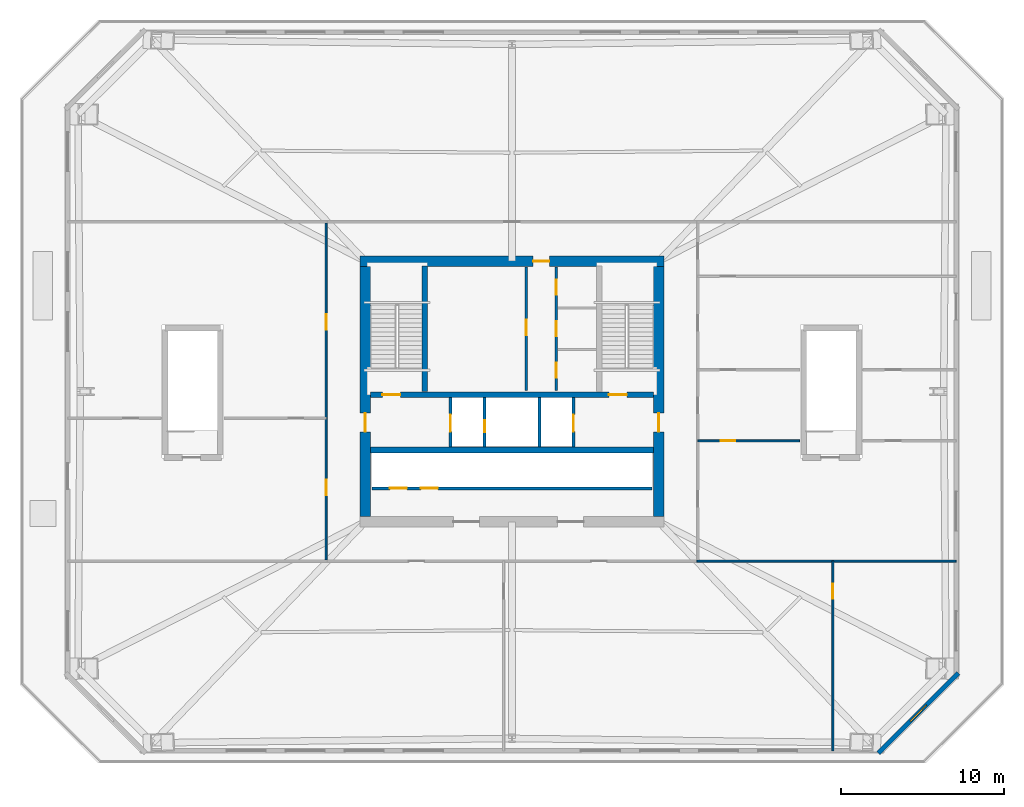
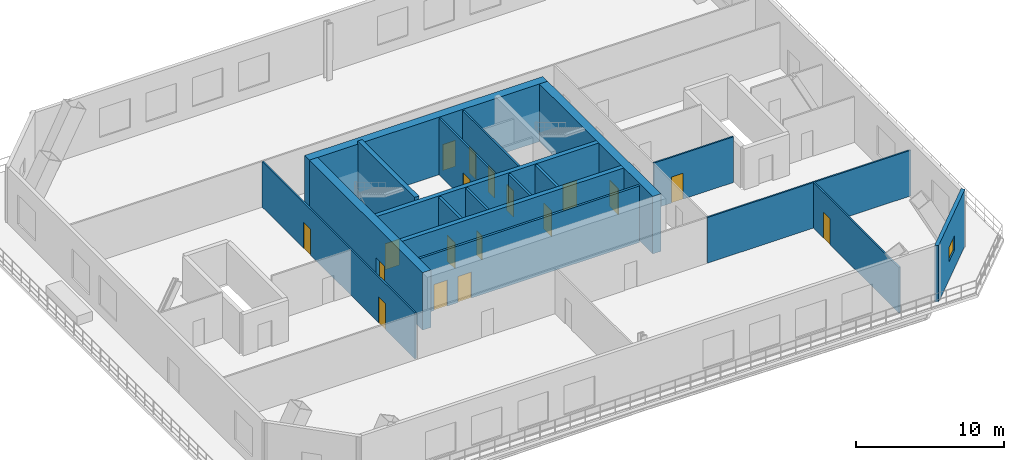
# One storey, part 3 of 7: 18 doors, 18 walls, 1 window, 19 openings.
"""IFC4 building model written with IfcOpenShell, lengths in metres."""

from ifc_helpers import new_model, si_unit, direction, frame, frame_2d, origin, place, context, subcontext, project, spatial, rectangle, extrude, material, layer, layer_set, type_object, element, fill, save


model = new_model("IFC4")

# Units and contexts
model_context = context("Model", 3, precision=1e-05, world=origin(), true_north=direction((0.0, 1.0)))
body_context = subcontext(model_context, "Body", "Model", "MODEL_VIEW")
ifc_project = project(units=[si_unit("LENGTHUNIT", "METRE"), si_unit("AREAUNIT", "SQUARE_METRE"), si_unit("VOLUMEUNIT", "CUBIC_METRE"), si_unit("PLANEANGLEUNIT", "RADIAN"), si_unit("MASSUNIT", "GRAM", prefix="KILO")], contexts=[model_context])

# Site, building, storey
site_placement = place(None, origin())
site = spatial("IfcSite", under=ifc_project, at=site_placement, CompositionType="ELEMENT")
building_placement = place(site_placement, origin())
building = spatial("IfcBuilding", under=site, at=building_placement, Name="Caelvoria Tower", CompositionType="ELEMENT")
storey_placement = place(building_placement, frame((0.0, 0.0, 23.0)))
storey = spatial("IfcBuildingStorey", under=building, at=storey_placement, Name="L05", CompositionType="ELEMENT", Elevation=23.0)

# Wall, openings, doors
ifc_material_1 = material(Name="Concrete C50/60", Category="concrete")
ifc_layer_1 = layer(ifc_material_1, 0.35009765625, Name="Concrete C50/60")
ifc_layer_set_1 = layer_set([ifc_layer_1], Name="Core Internal Shear Wall 350 - Concrete C50/60")
wall_type_1 = type_object("IfcWallType", Name="Core Internal Shear Wall 350", PredefinedType="SHEAR", material=ifc_layer_set_1)
wall_1_placement = place(storey_placement, frame((37.324951171875, 31.800048828125, 0.0), z_axis=(0.0, 0.0, 1.0), x_axis=(1.0, 0.0, 0.0)))
wall_1 = element("IfcWall", 1, at=wall_1_placement, inside=storey, type_object=wall_type_1, Name="Core Shear Wall L05 M1", PredefinedType="SHEAR", context=body_context, shape_type="SweptSolid", body=[
    extrude(rectangle(XDim=17.35009765625, YDim=0.35009765625, at=frame_2d((8.675048828125, 0.0))), origin(), (0.0, 0.0, 1.0), 4.760009765625),
])
opening_1_placement = place(wall_1_placement, frame((0.72509765625, 0.0, 0.0)))
opening_1 = element("IfcOpeningElement", 2, at=opening_1_placement, cuts=wall_1, Name="Opening ID-01", PredefinedType="OPENING", context=body_context, shape_type="SweptSolid", body=[
    extrude(rectangle(XDim=1.10009765625, YDim=2.14990234375, at=frame_2d((0.550048828125, 1.074951171875))), frame((0.0, 0.18505859375, 0.0), z_axis=(0.0, -1.0, 0.0), x_axis=(1.0, 0.0, 0.0)), (0.0, 0.0, 1.0), 0.3701171875),
])
opening_2_placement = place(wall_1_placement, frame((14.625, 0.0, 0.0)))
opening_2 = element("IfcOpeningElement", 3, at=opening_2_placement, cuts=wall_1, Name="Opening ID-01", PredefinedType="OPENING", context=body_context, shape_type="SweptSolid", body=[
    extrude(rectangle(XDim=1.10009765625, YDim=2.14990234375, at=frame_2d((0.550048828125, 1.074951171875))), frame((0.0, 0.18505859375, 0.0), z_axis=(0.0, -1.0, 0.0), x_axis=(1.0, 0.0, 0.0)), (0.0, 0.0, 1.0), 0.3701171875),
])
ifc_material_2 = material(Name="Painted Hollow Steel Fire Door", Category="steel")
door_type_1 = type_object("IfcDoorType", Name="Fire Door FD90S 1100x2150", OperationType="NOTDEFINED", PredefinedType="DOOR", material=ifc_material_2)
door_1_placement = place(opening_1_placement, origin())
door_1 = element("IfcDoor", 4, at=door_1_placement, inside=storey, type_object=door_type_1, Name="Core Door DR-L05-ST1", OperationType="SINGLE_SWING_LEFT", OverallHeight=2.14990234375, OverallWidth=1.10009765625, PredefinedType="DOOR", context=body_context, shape_type="SweptSolid", body=[
    extrude(rectangle(XDim=1.10009765625, YDim=2.14990234375, at=frame_2d((0.550048828125, 1.074951171875))), frame((0.0, 0.02490234375, 0.0), z_axis=(0.0, -1.0, 0.0), x_axis=(1.0, 0.0, 0.0)), (0.0, 0.0, 1.0), 0.050048828125),
])
fill(opening_1, door_1)
door_2_placement = place(opening_2_placement, origin())
door_2 = element("IfcDoor", 5, at=door_2_placement, inside=storey, type_object=door_type_1, Name="Core Door DR-L05-ST2", OperationType="SINGLE_SWING_RIGHT", OverallHeight=2.14990234375, OverallWidth=1.10009765625, PredefinedType="DOOR", context=body_context, shape_type="SweptSolid", body=[
    extrude(rectangle(XDim=1.10009765625, YDim=2.14990234375, at=frame_2d((0.550048828125, 1.074951171875))), frame((0.0, 0.02490234375, 0.0), z_axis=(0.0, -1.0, 0.0), x_axis=(1.0, 0.0, 0.0)), (0.0, 0.0, 1.0), 0.050048828125),
])
fill(opening_2, door_2)

# Walls
wall_2_placement = place(storey_placement, frame((37.324951171875, 28.39990234375, 0.0), z_axis=(0.0, 0.0, 1.0), x_axis=(1.0, 0.0, 0.0)))
element("IfcWall", 6, at=wall_2_placement, inside=storey, type_object=wall_type_1, Name="Core Shear Wall L05 M2", PredefinedType="SHEAR", context=body_context, shape_type="SweptSolid", body=[
    extrude(rectangle(XDim=17.35009765625, YDim=0.35009765625, at=frame_2d((8.675048828125, 0.0))), origin(), (0.0, 0.0, 1.0), 4.760009765625),
])
wall_3_placement = place(storey_placement, frame((40.64990234375, 32.0, 0.0), z_axis=(0.0, 0.0, 1.0), x_axis=(0.0, 1.0, 0.0)))
element("IfcWall", 7, at=wall_3_placement, inside=storey, type_object=wall_type_1, Name="Interior Partition IW-L05-ST1E", PredefinedType="SHEAR", context=body_context, shape_type="SweptSolid", body=[
    extrude(rectangle(XDim=7.699951171875, YDim=0.35009765625, at=frame_2d((3.85009765625, 0.0))), origin(), (0.0, 0.0, 1.0), 5.0),
])

# Wall, opening, door
ifc_material_3 = material(Name="Moisture-Resistant Gypsum on Steel Stud", Category="steel")
ifc_layer_2 = layer(ifc_material_3, 0.139892578125, Name="Moisture-Resistant Gypsum on Steel Stud")
ifc_layer_set_2 = layer_set([ifc_layer_2], Name="Core Sanitary Acoustic Partition Wall 140 - Moisture-Resistant Gypsum on Steel Stud")
wall_type_2 = type_object("IfcWallType", Name="Core Sanitary Acoustic Partition Wall 140", PredefinedType="PARTITIONING", material=ifc_layer_set_2)
wall_4_placement = place(storey_placement, frame((46.8798828125, 32.050048828125, 0.0), z_axis=(0.0, 0.0, 1.0), x_axis=(0.0, 1.0, 0.0)))
wall_4 = element("IfcWall", 8, at=wall_4_placement, inside=storey, type_object=wall_type_2, Name="Interior Partition IW-L05-C2L", PredefinedType="PARTITIONING", context=body_context, shape_type="SweptSolid", body=[
    extrude(rectangle(XDim=7.599853515625, YDim=0.139892578125, at=frame_2d((3.7998046875, 0.0))), origin(), (0.0, 0.0, 1.0), 4.679931640625),
])
opening_3_placement = place(wall_4_placement, frame((3.39990234375, 0.0, 0.0)))
opening_3 = element("IfcOpeningElement", 9, at=opening_3_placement, cuts=wall_4, Name="Opening ID-05", PredefinedType="OPENING", context=body_context, shape_type="SweptSolid", body=[
    extrude(rectangle(XDim=0.949951171875, YDim=2.14990234375, at=frame_2d((0.47509765625, 1.074951171875))), frame((0.0, 0.079833984375, 0.0), z_axis=(0.0, -1.0, 0.0), x_axis=(1.0, 0.0, 0.0)), (0.0, 0.0, 1.0), 0.159912109375),
])
ifc_material_4 = material(Name="Engineered Andean Oak Veneer Door", Category="wood")
door_type_2 = type_object("IfcDoorType", Name="Interior Timber Door 950x2150", OperationType="NOTDEFINED", PredefinedType="DOOR", material=ifc_material_4)
door_3_placement = place(opening_3_placement, origin())
door_3 = element("IfcDoor", 10, at=door_3_placement, inside=storey, type_object=door_type_2, Name="Interior Door DR-L05-C2W", OperationType="SINGLE_SWING_LEFT", OverallHeight=2.14990234375, OverallWidth=0.949951171875, PredefinedType="DOOR", context=body_context, shape_type="SweptSolid", body=[
    extrude(rectangle(XDim=0.949951171875, YDim=2.14990234375, at=frame_2d((0.47509765625, 1.074951171875))), frame((0.0, 0.02490234375, 0.0), z_axis=(0.0, -1.0, 0.0), x_axis=(1.0, 0.0, 0.0)), (0.0, 0.0, 1.0), 0.050048828125),
])
fill(opening_3, door_3)

# Wall, openings, doors
wall_5_placement = place(storey_placement, frame((48.719970703125, 32.050048828125, 0.0), z_axis=(0.0, 0.0, 1.0), x_axis=(0.0, 1.0, 0.0)))
wall_5 = element("IfcWall", 11, at=wall_5_placement, inside=storey, type_object=wall_type_2, Name="Interior Partition IW-L05-C2R", PredefinedType="PARTITIONING", context=body_context, shape_type="SweptSolid", body=[
    extrude(rectangle(XDim=7.599853515625, YDim=0.139892578125, at=frame_2d((3.7998046875, 0.0))), origin(), (0.0, 0.0, 1.0), 4.679931640625),
])
opening_4_placement = place(wall_5_placement, frame((0.800048828125, 0.0, 0.0)))
opening_4 = element("IfcOpeningElement", 12, at=opening_4_placement, cuts=wall_5, Name="Opening ID-04", PredefinedType="OPENING", context=body_context, shape_type="SweptSolid", body=[
    extrude(rectangle(XDim=0.89990234375, YDim=2.14990234375, at=frame_2d((0.449951171875, 1.074951171875))), frame((0.0, 0.079833984375, 0.0), z_axis=(0.0, -1.0, 0.0), x_axis=(1.0, 0.0, 0.0)), (0.0, 0.0, 1.0), 0.159912109375),
])
opening_5_placement = place(wall_5_placement, frame((3.35009765625, 0.0, 0.0)))
opening_5 = element("IfcOpeningElement", 13, at=opening_5_placement, cuts=wall_5, Name="Opening ID-06", PredefinedType="OPENING", context=body_context, shape_type="SweptSolid", body=[
    extrude(rectangle(XDim=0.89990234375, YDim=2.14990234375, at=frame_2d((0.449951171875, 1.074951171875))), frame((0.0, 0.079833984375, 0.0), z_axis=(0.0, -1.0, 0.0), x_axis=(1.0, 0.0, 0.0)), (0.0, 0.0, 1.0), 0.159912109375),
])
opening_6_placement = place(wall_5_placement, frame((5.89990234375, 0.0, 0.0)))
opening_6 = element("IfcOpeningElement", 14, at=opening_6_placement, cuts=wall_5, Name="Opening ID-07", PredefinedType="OPENING", context=body_context, shape_type="SweptSolid", body=[
    extrude(rectangle(XDim=0.919921875, YDim=2.14990234375, at=frame_2d((0.4599609375, 1.074951171875))), frame((0.0, 0.079833984375, 0.0), z_axis=(0.0, -1.0, 0.0), x_axis=(1.0, 0.0, 0.0)), (0.0, 0.0, 1.0), 0.159912109375),
])
ifc_material_5 = material(Name="Engineered Andean Oak Accessible Door", Category="wood")
door_type_3 = type_object("IfcDoorType", Name="Accessible WC Door 950x2150", OperationType="NOTDEFINED", PredefinedType="DOOR", material=ifc_material_5)
door_4_placement = place(opening_6_placement, origin())
door_4 = element("IfcDoor", 15, at=door_4_placement, inside=storey, type_object=door_type_3, Name="Interior Door DR-L05-C2E3", OperationType="SINGLE_SWING_RIGHT", OverallHeight=2.14990234375, OverallWidth=0.919921875, PredefinedType="DOOR", context=body_context, shape_type="SweptSolid", body=[
    extrude(rectangle(XDim=0.919921875, YDim=2.14990234375, at=frame_2d((0.4599609375, 1.074951171875))), frame((0.0, 0.02490234375, 0.0), z_axis=(0.0, -1.0, 0.0), x_axis=(1.0, 0.0, 0.0)), (0.0, 0.0, 1.0), 0.050048828125),
])
fill(opening_6, door_4)
ifc_material_6 = material(Name="Acoustic Timber Fire Door", Category="wood")
door_type_4 = type_object("IfcDoorType", Name="Fire Door FD30S 900x2150", OperationType="NOTDEFINED", PredefinedType="DOOR", material=ifc_material_6)
door_5_placement = place(opening_4_placement, origin())
door_5 = element("IfcDoor", 16, at=door_5_placement, inside=storey, type_object=door_type_4, Name="Interior Door DR-L05-C2E1", OperationType="SINGLE_SWING_RIGHT", OverallHeight=2.14990234375, OverallWidth=0.89990234375, PredefinedType="DOOR", context=body_context, shape_type="SweptSolid", body=[
    extrude(rectangle(XDim=0.89990234375, YDim=2.14990234375, at=frame_2d((0.449951171875, 1.074951171875))), frame((0.0, 0.02490234375, 0.0), z_axis=(0.0, -1.0, 0.0), x_axis=(1.0, 0.0, 0.0)), (0.0, 0.0, 1.0), 0.050048828125),
])
fill(opening_4, door_5)
door_type_5 = type_object("IfcDoorType", Name="Interior Timber Door 900x2150", OperationType="NOTDEFINED", PredefinedType="DOOR", material=ifc_material_4)
door_6_placement = place(opening_5_placement, origin())
door_6 = element("IfcDoor", 17, at=door_6_placement, inside=storey, type_object=door_type_5, Name="Interior Door DR-L05-C2E2", OperationType="SINGLE_SWING_LEFT", OverallHeight=2.14990234375, OverallWidth=0.89990234375, PredefinedType="DOOR", context=body_context, shape_type="SweptSolid", body=[
    extrude(rectangle(XDim=0.89990234375, YDim=2.14990234375, at=frame_2d((0.449951171875, 1.074951171875))), frame((0.0, 0.02490234375, 0.0), z_axis=(0.0, -1.0, 0.0), x_axis=(1.0, 0.0, 0.0)), (0.0, 0.0, 1.0), 0.050048828125),
])
fill(opening_5, door_6)

# Wall, opening, window
ifc_material_7 = material(Name="Precast Concrete C40/50 with Bronze Cladding", Category="concrete")
ifc_layer_3 = layer(ifc_material_7, 0.280029296875, Name="Precast Concrete C40/50 with Bronze Cladding")
ifc_layer_set_3 = layer_set([ifc_layer_3], Name="Exterior Precast Concrete C40/50 Bronze-Clad Facade Wall 280 - Precast Concrete C40/50 with Bronze Cladding")
wall_type_3 = type_object("IfcWallType", Name="Exterior Precast Concrete C40/50 Bronze-Clad Facade Wall 280", PredefinedType="STANDARD", material=ifc_layer_set_3)
wall_6_placement = place(storey_placement, frame((68.501953125, 9.800048828125, 0.0), z_axis=(0.0, 0.0, 1.0), x_axis=(0.707106781187, 0.707106781187, 0.0)))
wall_6 = element("IfcWall", 18, at=wall_6_placement, inside=storey, type_object=wall_type_3, Name="Exterior Facade Wall L05-E1", PredefinedType="STANDARD", context=body_context, shape_type="SweptSolid", body=[
    extrude(rectangle(XDim=6.9267578125, YDim=0.280029296875, at=frame_2d((3.46337890625, 0.0))), origin(), (0.0, 0.0, 1.0), 4.679931640625),
])
opening_7_placement = place(wall_6_placement, frame((2.763427734375, 0.0, 1.5)))
opening_7 = element("IfcOpeningElement", 19, at=opening_7_placement, cuts=wall_6, Name="Opening WN-06", PredefinedType="OPENING", context=body_context, shape_type="SweptSolid", body=[
    extrude(rectangle(XDim=1.39990234375, YDim=1.199951171875, at=frame_2d((0.699951171875, 0.60009765625))), frame((0.0, 0.14990234375, 0.0), z_axis=(0.0, -1.0, 0.0), x_axis=(1.0, 0.0, 0.0)), (0.0, 0.0, 1.0), 0.300048828125),
])
ifc_material_8 = material(Name="Low-E Tinted Glass in Bronze Aluminium Frame", Category="aluminium")
window_type = type_object("IfcWindowType", Name="Podium Clerestory Window 1400x1200", PartitioningType="SINGLE_PANEL", PredefinedType="WINDOW", material=ifc_material_8)
window_placement = place(opening_7_placement, origin())
window = element("IfcWindow", 20, at=window_placement, inside=storey, type_object=window_type, Name="Facade Window L05-E1-00", OverallHeight=1.199951171875, OverallWidth=1.39990234375, PartitioningType="SINGLE_PANEL", PredefinedType="WINDOW", context=body_context, shape_type="SweptSolid", body=[
    extrude(rectangle(XDim=1.39990234375, YDim=1.199951171875, at=frame_2d((0.699951171875, 0.60009765625))), frame((0.0, 0.030029296875, 0.0), z_axis=(0.0, -1.0, 0.0), x_axis=(1.0, 0.0, 0.0)), (0.0, 0.0, 1.0), 0.06005859375),
])
fill(opening_7, window)

# Wall, opening, door
ifc_material_9 = material(Name="Concrete Block and Fireboard Assembly", Category="concrete")
ifc_layer_4 = layer(ifc_material_9, 0.179931640625, Name="Concrete Block and Fireboard Assembly")
ifc_layer_set_4 = layer_set([ifc_layer_4], Name="Fire-Rated Hoistway Partition Wall 180 - Concrete Block and Fireboard Assembly")
wall_type_4 = type_object("IfcWallType", Name="Fire-Rated Hoistway Partition Wall 180", PredefinedType="PARTITIONING", material=ifc_layer_set_4)
wall_7_placement = place(storey_placement, frame((44.320068359375, 28.580078125, 0.0), z_axis=(0.0, 0.0, 1.0), x_axis=(0.0, 1.0, 0.0)))
wall_7 = element("IfcWall", 21, at=wall_7_placement, inside=storey, type_object=wall_type_4, Name="Interior Partition IW-L05-SV1W", PredefinedType="PARTITIONING", context=body_context, shape_type="SweptSolid", body=[
    extrude(rectangle(XDim=3.0400390625, YDim=0.179931640625, at=frame_2d((1.52001953125, 0.0))), origin(), (0.0, 0.0, 1.0), 4.679931640625),
])
opening_8_placement = place(wall_7_placement, frame((0.89990234375, 0.0, 0.0)))
opening_8 = element("IfcOpeningElement", 22, at=opening_8_placement, cuts=wall_7, Name="Opening TD-01", PredefinedType="OPENING", context=body_context, shape_type="SweptSolid", body=[
    extrude(rectangle(XDim=0.75, YDim=2.0, at=frame_2d((0.375, 1.0))), frame((0.0, 0.099853515625, 0.0), z_axis=(0.0, -1.0, 0.0), x_axis=(1.0, 0.0, 0.0)), (0.0, 0.0, 1.0), 0.199951171875),
])
ifc_material_10 = material(Name="Insulated Steel Service Access Trapdoor", Category="steel")
door_type_6 = type_object("IfcDoorType", Name="Riser Maintenance Access Trapdoor 750x1850", OperationType="NOTDEFINED", PredefinedType="TRAPDOOR", material=ifc_material_10)
door_7_placement = place(opening_8_placement, origin())
door_7 = element("IfcDoor", 23, at=door_7_placement, inside=storey, type_object=door_type_6, Name="Wet Riser Access Trapdoor L05", OperationType="SINGLE_SWING_LEFT", OverallHeight=2.0, OverallWidth=0.75, PredefinedType="TRAPDOOR", context=body_context, shape_type="SweptSolid", body=[
    extrude(rectangle(XDim=0.75, YDim=2.0, at=frame_2d((0.375, 1.0))), frame((0.0, 0.02490234375, 0.0), z_axis=(0.0, -1.0, 0.0), x_axis=(1.0, 0.0, 0.0)), (0.0, 0.0, 1.0), 0.050048828125),
])
fill(opening_8, door_7)

# Wall
wall_8_placement = place(storey_placement, frame((47.679931640625, 28.580078125, 0.0), z_axis=(0.0, 0.0, 1.0), x_axis=(0.0, 1.0, 0.0)))
element("IfcWall", 24, at=wall_8_placement, inside=storey, type_object=wall_type_4, Name="Interior Partition IW-L05-SV1E", PredefinedType="PARTITIONING", context=body_context, shape_type="SweptSolid", body=[
    extrude(rectangle(XDim=3.0400390625, YDim=0.179931640625, at=frame_2d((1.52001953125, 0.0))), origin(), (0.0, 0.0, 1.0), 4.679931640625),
])

# Wall, openings, doors
wall_9_placement = place(storey_placement, frame((37.39990234375, 26.050048828125, 0.0), z_axis=(0.0, 0.0, 1.0), x_axis=(1.0, 0.0, 0.0)))
wall_9 = element("IfcWall", 25, at=wall_9_placement, inside=storey, type_object=wall_type_4, Name="Interior Partition IW-L05-LFRONT", PredefinedType="PARTITIONING", context=body_context, shape_type="SweptSolid", body=[
    extrude(rectangle(XDim=17.2001953125, YDim=0.179931640625, at=frame_2d((8.60009765625, 0.0))), origin(), (0.0, 0.0, 1.0), 4.679931640625),
])
opening_9_placement = place(wall_9_placement, frame((1.10009765625, 0.0, 0.0)))
opening_9 = element("IfcOpeningElement", 26, at=opening_9_placement, cuts=wall_9, Name="Opening LD-01", PredefinedType="OPENING", context=body_context, shape_type="SweptSolid", body=[
    extrude(rectangle(XDim=1.050048828125, YDim=2.14990234375, at=frame_2d((0.52490234375, 1.074951171875))), frame((0.0, 0.099853515625, 0.0), z_axis=(0.0, -1.0, 0.0), x_axis=(1.0, 0.0, 0.0)), (0.0, 0.0, 1.0), 0.199951171875),
])
opening_10_placement = place(wall_9_placement, frame((3.0, 0.0, 0.0)))
opening_10 = element("IfcOpeningElement", 27, at=opening_10_placement, cuts=wall_9, Name="Opening LD-01", PredefinedType="OPENING", context=body_context, shape_type="SweptSolid", body=[
    extrude(rectangle(XDim=1.050048828125, YDim=2.14990234375, at=frame_2d((0.52490234375, 1.074951171875))), frame((0.0, 0.099853515625, 0.0), z_axis=(0.0, -1.0, 0.0), x_axis=(1.0, 0.0, 0.0)), (0.0, 0.0, 1.0), 0.199951171875),
])
ifc_material_11 = material(Name="Brushed Bronze Stainless Sliding Landing Door", Category="aluminium")
door_type_7 = type_object("IfcDoorType", Name="Lift Landing Sliding Door 1100x2150", OperationType="NOTDEFINED", PredefinedType="DOOR", material=ifc_material_11)
door_8_placement = place(opening_9_placement, origin())
door_8 = element("IfcDoor", 28, at=door_8_placement, inside=storey, type_object=door_type_7, Name="Interior Door LD-L05-PL1", OperationType="SLIDING_TO_LEFT", OverallHeight=2.14990234375, OverallWidth=1.050048828125, PredefinedType="DOOR", context=body_context, shape_type="SweptSolid", body=[
    extrude(rectangle(XDim=1.050048828125, YDim=2.14990234375, at=frame_2d((0.52490234375, 1.074951171875))), frame((0.0, 0.02490234375, 0.0), z_axis=(0.0, -1.0, 0.0), x_axis=(1.0, 0.0, 0.0)), (0.0, 0.0, 1.0), 0.050048828125),
])
fill(opening_9, door_8)
door_9_placement = place(opening_10_placement, origin())
door_9 = element("IfcDoor", 29, at=door_9_placement, inside=storey, type_object=door_type_7, Name="Interior Door LD-L05-PL2", OperationType="SLIDING_TO_RIGHT", OverallHeight=2.14990234375, OverallWidth=1.050048828125, PredefinedType="DOOR", context=body_context, shape_type="SweptSolid", body=[
    extrude(rectangle(XDim=1.050048828125, YDim=2.14990234375, at=frame_2d((0.52490234375, 1.074951171875))), frame((0.0, 0.02490234375, 0.0), z_axis=(0.0, -1.0, 0.0), x_axis=(1.0, 0.0, 0.0)), (0.0, 0.0, 1.0), 0.050048828125),
])
fill(opening_10, door_9)

# Wall, opening, door
ifc_layer_5 = layer(ifc_material_9, 0.199951171875, Name="Concrete Block and Fireboard Assembly")
ifc_layer_set_5 = layer_set([ifc_layer_5], Name="Fire-Rated Shaft and Core Partition Wall 200 - Concrete Block and Fireboard Assembly")
wall_type_5 = type_object("IfcWallType", Name="Fire-Rated Shaft and Core Partition Wall 200", PredefinedType="PARTITIONING", material=ifc_layer_set_5)
wall_10_placement = place(storey_placement, frame((42.219970703125, 28.580078125, 0.0), z_axis=(0.0, 0.0, 1.0), x_axis=(0.0, 1.0, 0.0)))
wall_10 = element("IfcWall", 30, at=wall_10_placement, inside=storey, type_object=wall_type_5, Name="Interior Partition IW-L05-LF1W", PredefinedType="PARTITIONING", context=body_context, shape_type="SweptSolid", body=[
    extrude(rectangle(XDim=3.0400390625, YDim=0.199951171875, at=frame_2d((1.52001953125, 0.0))), origin(), (0.0, 0.0, 1.0), 4.679931640625),
])
opening_11_placement = place(wall_10_placement, frame((0.949951171875, 0.0, 0.0)))
opening_11 = element("IfcOpeningElement", 31, at=opening_11_placement, cuts=wall_10, Name="Opening LD-01", PredefinedType="OPENING", context=body_context, shape_type="SweptSolid", body=[
    extrude(rectangle(XDim=1.050048828125, YDim=2.14990234375, at=frame_2d((0.52490234375, 1.074951171875))), frame((0.0, 0.10986328125, 0.0), z_axis=(0.0, -1.0, 0.0), x_axis=(1.0, 0.0, 0.0)), (0.0, 0.0, 1.0), 0.219970703125),
])
door_10_placement = place(opening_11_placement, origin())
door_10 = element("IfcDoor", 32, at=door_10_placement, inside=storey, type_object=door_type_7, Name="Interior Door LD-L05-LF1", OperationType="SLIDING_TO_LEFT", OverallHeight=2.14990234375, OverallWidth=1.050048828125, PredefinedType="DOOR", context=body_context, shape_type="SweptSolid", body=[
    extrude(rectangle(XDim=1.050048828125, YDim=2.14990234375, at=frame_2d((0.52490234375, 1.074951171875))), frame((0.0, 0.02490234375, 0.0), z_axis=(0.0, -1.0, 0.0), x_axis=(1.0, 0.0, 0.0)), (0.0, 0.0, 1.0), 0.050048828125),
])
fill(opening_11, door_10)

wall_11_placement = place(storey_placement, frame((49.780029296875, 28.580078125, 0.0), z_axis=(0.0, 0.0, 1.0), x_axis=(0.0, 1.0, 0.0)))
wall_11 = element("IfcWall", 33, at=wall_11_placement, inside=storey, type_object=wall_type_5, Name="Interior Partition IW-L05-LF2E", PredefinedType="PARTITIONING", context=body_context, shape_type="SweptSolid", body=[
    extrude(rectangle(XDim=3.0400390625, YDim=0.199951171875, at=frame_2d((1.52001953125, 0.0))), origin(), (0.0, 0.0, 1.0), 4.679931640625),
])
opening_12_placement = place(wall_11_placement, frame((0.949951171875, 0.0, 0.0)))
opening_12 = element("IfcOpeningElement", 34, at=opening_12_placement, cuts=wall_11, Name="Opening LD-01", PredefinedType="OPENING", context=body_context, shape_type="SweptSolid", body=[
    extrude(rectangle(XDim=1.050048828125, YDim=2.14990234375, at=frame_2d((0.52490234375, 1.074951171875))), frame((0.0, 0.10986328125, 0.0), z_axis=(0.0, -1.0, 0.0), x_axis=(1.0, 0.0, 0.0)), (0.0, 0.0, 1.0), 0.219970703125),
])
door_11_placement = place(opening_12_placement, origin())
door_11 = element("IfcDoor", 35, at=door_11_placement, inside=storey, type_object=door_type_7, Name="Interior Door LD-L05-LF2", OperationType="SLIDING_TO_RIGHT", OverallHeight=2.14990234375, OverallWidth=1.050048828125, PredefinedType="DOOR", context=body_context, shape_type="SweptSolid", body=[
    extrude(rectangle(XDim=1.050048828125, YDim=2.14990234375, at=frame_2d((0.52490234375, 1.074951171875))), frame((0.0, 0.02490234375, 0.0), z_axis=(0.0, -1.0, 0.0), x_axis=(1.0, 0.0, 0.0)), (0.0, 0.0, 1.0), 0.050048828125),
])
fill(opening_12, door_11)

ifc_material_12 = material(Name="Concrete C60/75", Category="concrete")
ifc_layer_6 = layer(ifc_material_12, 0.64990234375, Name="Concrete C60/75")
ifc_layer_set_6 = layer_set([ifc_layer_6], Name="Lower Core Shear Wall 650 - Concrete C60/75")
wall_type_6 = type_object("IfcWallType", Name="Lower Core Shear Wall 650", PredefinedType="SHEAR", material=ifc_layer_set_6)
wall_12_placement = place(storey_placement, frame((36.675048828125, 40.0, 0.0), z_axis=(0.0, 0.0, 1.0), x_axis=(1.0, 0.0, 0.0)))
wall_12 = element("IfcWall", 36, at=wall_12_placement, inside=storey, type_object=wall_type_6, Name="Core Shear Wall L05 N", PredefinedType="SHEAR", context=body_context, shape_type="SweptSolid", body=[
    extrude(rectangle(XDim=18.64990234375, YDim=0.64990234375, at=frame_2d((9.324951171875, 0.0))), origin(), (0.0, 0.0, 1.0), 4.760009765625),
])
opening_13_placement = place(wall_12_placement, frame((10.625, 0.0, 0.0)))
opening_13 = element("IfcOpeningElement", 37, at=opening_13_placement, cuts=wall_12, Name="Opening ID-03", PredefinedType="OPENING", context=body_context, shape_type="SweptSolid", body=[
    extrude(rectangle(XDim=1.0, YDim=2.14990234375, at=frame_2d((0.5, 1.074951171875))), frame((0.0, 0.3349609375, 0.0), z_axis=(0.0, -1.0, 0.0), x_axis=(1.0, 0.0, 0.0)), (0.0, 0.0, 1.0), 0.669921875),
])
door_type_8 = type_object("IfcDoorType", Name="Fire Door FD60S 1000x2150", OperationType="NOTDEFINED", PredefinedType="DOOR", material=ifc_material_2)
door_12_placement = place(opening_13_placement, origin())
door_12 = element("IfcDoor", 38, at=door_12_placement, inside=storey, type_object=door_type_8, Name="Core Door DR-L05-WC-MAIN", OperationType="SINGLE_SWING_RIGHT", OverallHeight=2.14990234375, OverallWidth=1.0, PredefinedType="DOOR", context=body_context, shape_type="SweptSolid", body=[
    extrude(rectangle(XDim=1.0, YDim=2.14990234375, at=frame_2d((0.5, 1.074951171875))), frame((0.0, 0.02490234375, 0.0), z_axis=(0.0, -1.0, 0.0), x_axis=(1.0, 0.0, 0.0)), (0.0, 0.0, 1.0), 0.050048828125),
])
fill(opening_13, door_12)

wall_13_placement = place(storey_placement, frame((37.0, 24.324951171875, 0.0), z_axis=(0.0, 0.0, 1.0), x_axis=(0.0, 1.0, 0.0)))
wall_13 = element("IfcWall", 39, at=wall_13_placement, inside=storey, type_object=wall_type_6, Name="Core Shear Wall L05 W", PredefinedType="SHEAR", context=body_context, shape_type="SweptSolid", body=[
    extrude(rectangle(XDim=15.35009765625, YDim=0.64990234375, at=frame_2d((7.675048828125, 0.0))), origin(), (0.0, 0.0, 1.0), 4.760009765625),
])
opening_14_placement = place(wall_13_placement, frame((5.199951171875, 0.0, 0.0)))
opening_14 = element("IfcOpeningElement", 40, at=opening_14_placement, cuts=wall_13, Name="Opening ID-02", PredefinedType="OPENING", context=body_context, shape_type="SweptSolid", body=[
    extrude(rectangle(XDim=1.14990234375, YDim=2.14990234375, at=frame_2d((0.574951171875, 1.074951171875))), frame((0.0, 0.3349609375, 0.0), z_axis=(0.0, -1.0, 0.0), x_axis=(1.0, 0.0, 0.0)), (0.0, 0.0, 1.0), 0.669921875),
])
door_type_9 = type_object("IfcDoorType", Name="Fire Door FD60S 1150x2150", OperationType="NOTDEFINED", PredefinedType="DOOR", material=ifc_material_2)
door_13_placement = place(opening_14_placement, origin())
door_13 = element("IfcDoor", 41, at=door_13_placement, inside=storey, type_object=door_type_9, Name="Core Door DR-L05-FFLW-OUT", OperationType="SINGLE_SWING_LEFT", OverallHeight=2.14990234375, OverallWidth=1.14990234375, PredefinedType="DOOR", context=body_context, shape_type="SweptSolid", body=[
    extrude(rectangle(XDim=1.14990234375, YDim=2.14990234375, at=frame_2d((0.574951171875, 1.074951171875))), frame((0.0, 0.02490234375, 0.0), z_axis=(0.0, -1.0, 0.0), x_axis=(1.0, 0.0, 0.0)), (0.0, 0.0, 1.0), 0.050048828125),
])
fill(opening_14, door_13)

wall_14_placement = place(storey_placement, frame((55.0, 24.324951171875, 0.0), z_axis=(0.0, 0.0, 1.0), x_axis=(0.0, 1.0, 0.0)))
wall_14 = element("IfcWall", 42, at=wall_14_placement, inside=storey, type_object=wall_type_6, Name="Core Shear Wall L05 E", PredefinedType="SHEAR", context=body_context, shape_type="SweptSolid", body=[
    extrude(rectangle(XDim=15.35009765625, YDim=0.64990234375, at=frame_2d((7.675048828125, 0.0))), origin(), (0.0, 0.0, 1.0), 4.760009765625),
])
opening_15_placement = place(wall_14_placement, frame((5.199951171875, 0.0, 0.0)))
opening_15 = element("IfcOpeningElement", 43, at=opening_15_placement, cuts=wall_14, Name="Opening ID-02", PredefinedType="OPENING", context=body_context, shape_type="SweptSolid", body=[
    extrude(rectangle(XDim=1.14990234375, YDim=2.14990234375, at=frame_2d((0.574951171875, 1.074951171875))), frame((0.0, 0.3349609375, 0.0), z_axis=(0.0, -1.0, 0.0), x_axis=(1.0, 0.0, 0.0)), (0.0, 0.0, 1.0), 0.669921875),
])
door_14_placement = place(opening_15_placement, origin())
door_14 = element("IfcDoor", 44, at=door_14_placement, inside=storey, type_object=door_type_9, Name="Core Door DR-L05-FFLE-OUT", OperationType="SINGLE_SWING_RIGHT", OverallHeight=2.14990234375, OverallWidth=1.14990234375, PredefinedType="DOOR", context=body_context, shape_type="SweptSolid", body=[
    extrude(rectangle(XDim=1.14990234375, YDim=2.14990234375, at=frame_2d((0.574951171875, 1.074951171875))), frame((0.0, 0.02490234375, 0.0), z_axis=(0.0, -1.0, 0.0), x_axis=(1.0, 0.0, 0.0)), (0.0, 0.0, 1.0), 0.050048828125),
])
fill(opening_15, door_14)

ifc_material_13 = material(Name="Acoustic Gypsum Board on Light-Gauge Stud", Category="gypsum")
ifc_layer_7 = layer(ifc_material_13, 0.1201171875, Name="Acoustic Gypsum Board on Light-Gauge Stud")
ifc_layer_set_7 = layer_set([ifc_layer_7], Name="Tenant Suite Acoustic Partition Wall 120 - Acoustic Gypsum Board on Light-Gauge Stud")
wall_type_7 = type_object("IfcWallType", Name="Tenant Suite Acoustic Partition Wall 120", PredefinedType="PARTITIONING", material=ifc_layer_set_7)
wall_15_placement = place(storey_placement, frame((65.6962890625, 21.590087890625, 0.0), z_axis=(0.0, 0.0, 1.0), x_axis=(0.0, -1.0, 0.0)))
wall_15 = element("IfcWall", 45, at=wall_15_placement, inside=storey, type_object=wall_type_7, Name="Interior Partition IW-L05-SD-01-0", PredefinedType="PARTITIONING", context=body_context, shape_type="SweptSolid", body=[
    extrude(rectangle(XDim=11.650146484375, YDim=0.1201171875, at=frame_2d((5.8251953125, 0.0))), origin(), (0.0, 0.0, 1.0), 3.780029296875),
])
opening_16_placement = place(wall_15_placement, frame((1.39990234375, 0.0, 0.0)))
opening_16 = element("IfcOpeningElement", 46, at=opening_16_placement, cuts=wall_15, Name="Opening ID-06", PredefinedType="OPENING", context=body_context, shape_type="SweptSolid", body=[
    extrude(rectangle(XDim=0.89990234375, YDim=2.14990234375, at=frame_2d((0.449951171875, 1.074951171875))), frame((0.0, 0.070068359375, 0.0), z_axis=(0.0, -1.0, 0.0), x_axis=(1.0, 0.0, 0.0)), (0.0, 0.0, 1.0), 0.14013671875),
])
door_15_placement = place(opening_16_placement, origin())
door_15 = element("IfcDoor", 47, at=door_15_placement, inside=storey, type_object=door_type_5, Name="Interior Door DR-L05-SM-01-0", OperationType="SINGLE_SWING_LEFT", OverallHeight=2.14990234375, OverallWidth=0.89990234375, PredefinedType="DOOR", context=body_context, shape_type="SweptSolid", body=[
    extrude(rectangle(XDim=0.89990234375, YDim=2.14990234375, at=frame_2d((0.449951171875, 1.074951171875))), frame((0.0, 0.02490234375, 0.0), z_axis=(0.0, -1.0, 0.0), x_axis=(1.0, 0.0, 0.0)), (0.0, 0.0, 1.0), 0.050048828125),
])
fill(opening_16, door_15)

# Wall, openings, doors
wall_16_placement = place(storey_placement, frame((34.590087890625, 21.64990234375, 0.0), z_axis=(0.0, 0.0, 1.0), x_axis=(0.0, 1.0, 0.0)))
wall_16 = element("IfcWall", 48, at=wall_16_placement, inside=storey, type_object=wall_type_7, Name="Interior Partition IW-L05-WCW-0", PredefinedType="PARTITIONING", context=body_context, shape_type="SweptSolid", body=[
    extrude(rectangle(XDim=20.7001953125, YDim=0.1201171875, at=frame_2d((10.35009765625, 0.0))), origin(), (0.0, 0.0, 1.0), 3.780029296875),
])
opening_17_placement = place(wall_16_placement, frame((3.97998046875, 0.0, 0.0)))
opening_17 = element("IfcOpeningElement", 49, at=opening_17_placement, cuts=wall_16, Name="Opening ID-05", PredefinedType="OPENING", context=body_context, shape_type="SweptSolid", body=[
    extrude(rectangle(XDim=0.949951171875, YDim=2.14990234375, at=frame_2d((0.47509765625, 1.074951171875))), frame((0.0, 0.070068359375, 0.0), z_axis=(0.0, -1.0, 0.0), x_axis=(1.0, 0.0, 0.0)), (0.0, 0.0, 1.0), 0.14013671875),
])
opening_18_placement = place(wall_16_placement, frame((14.1298828125, 0.0, 0.0)))
opening_18 = element("IfcOpeningElement", 50, at=opening_18_placement, cuts=wall_16, Name="Opening ID-05", PredefinedType="OPENING", context=body_context, shape_type="SweptSolid", body=[
    extrude(rectangle(XDim=0.949951171875, YDim=2.14990234375, at=frame_2d((0.47509765625, 1.074951171875))), frame((0.0, 0.070068359375, 0.0), z_axis=(0.0, -1.0, 0.0), x_axis=(1.0, 0.0, 0.0)), (0.0, 0.0, 1.0), 0.14013671875),
])
door_16_placement = place(opening_17_placement, origin())
door_16 = element("IfcDoor", 51, at=door_16_placement, inside=storey, type_object=door_type_2, Name="Interior Door DR-L05-WC-00-0", OperationType="SINGLE_SWING_RIGHT", OverallHeight=2.14990234375, OverallWidth=0.949951171875, PredefinedType="DOOR", context=body_context, shape_type="SweptSolid", body=[
    extrude(rectangle(XDim=0.949951171875, YDim=2.14990234375, at=frame_2d((0.47509765625, 1.074951171875))), frame((0.0, 0.02490234375, 0.0), z_axis=(0.0, -1.0, 0.0), x_axis=(1.0, 0.0, 0.0)), (0.0, 0.0, 1.0), 0.050048828125),
])
fill(opening_17, door_16)
door_17_placement = place(opening_18_placement, origin())
door_17 = element("IfcDoor", 52, at=door_17_placement, inside=storey, type_object=door_type_2, Name="Interior Door DR-L05-WC-01-0", OperationType="SINGLE_SWING_LEFT", OverallHeight=2.14990234375, OverallWidth=0.949951171875, PredefinedType="DOOR", context=body_context, shape_type="SweptSolid", body=[
    extrude(rectangle(XDim=0.949951171875, YDim=2.14990234375, at=frame_2d((0.47509765625, 1.074951171875))), frame((0.0, 0.02490234375, 0.0), z_axis=(0.0, -1.0, 0.0), x_axis=(1.0, 0.0, 0.0)), (0.0, 0.0, 1.0), 0.050048828125),
])
fill(opening_18, door_17)

# Wall, opening, door
wall_17_placement = place(storey_placement, frame((57.409912109375, 28.968994140625, 0.0), z_axis=(0.0, 0.0, 1.0), x_axis=(1.0, 0.0, 0.0)))
wall_17 = element("IfcWall", 53, at=wall_17_placement, inside=storey, type_object=wall_type_7, Name="Interior Partition IW-L05-ED-00-0", PredefinedType="PARTITIONING", context=body_context, shape_type="SweptSolid", body=[
    extrude(rectangle(XDim=6.239990234375, YDim=0.1201171875, at=frame_2d((3.1201171875, 0.0))), origin(), (0.0, 0.0, 1.0), 3.780029296875),
])
opening_19_placement = place(wall_17_placement, frame((1.39990234375, 0.0, 0.0)))
opening_19 = element("IfcOpeningElement", 54, at=opening_19_placement, cuts=wall_17, Name="Opening ID-06", PredefinedType="OPENING", context=body_context, shape_type="SweptSolid", body=[
    extrude(rectangle(XDim=0.89990234375, YDim=2.14990234375, at=frame_2d((0.449951171875, 1.074951171875))), frame((0.0, 0.070068359375, 0.0), z_axis=(0.0, -1.0, 0.0), x_axis=(1.0, 0.0, 0.0)), (0.0, 0.0, 1.0), 0.14013671875),
])
door_18_placement = place(opening_19_placement, origin())
door_18 = element("IfcDoor", 55, at=door_18_placement, inside=storey, type_object=door_type_5, Name="Interior Door DR-L05-EM-00-0", OperationType="SINGLE_SWING_RIGHT", OverallHeight=2.14990234375, OverallWidth=0.89990234375, PredefinedType="DOOR", context=body_context, shape_type="SweptSolid", body=[
    extrude(rectangle(XDim=0.89990234375, YDim=2.14990234375, at=frame_2d((0.449951171875, 1.074951171875))), frame((0.0, 0.02490234375, 0.0), z_axis=(0.0, -1.0, 0.0), x_axis=(1.0, 0.0, 0.0)), (0.0, 0.0, 1.0), 0.050048828125),
])
fill(opening_19, door_18)

# Wall
wall_18_placement = place(storey_placement, frame((57.35009765625, 21.590087890625, 0.0), z_axis=(0.0, 0.0, 1.0), x_axis=(1.0, 0.0, 0.0)))
element("IfcWall", 56, at=wall_18_placement, inside=storey, type_object=wall_type_7, Name="Interior Partition IW-L05-BSE-0", PredefinedType="PARTITIONING", context=body_context, shape_type="SweptSolid", body=[
    extrude(rectangle(XDim=15.909912109375, YDim=0.1201171875, at=frame_2d((7.955078125, 0.0))), origin(), (0.0, 0.0, 1.0), 3.780029296875),
])

save(model, "model.ifc")
